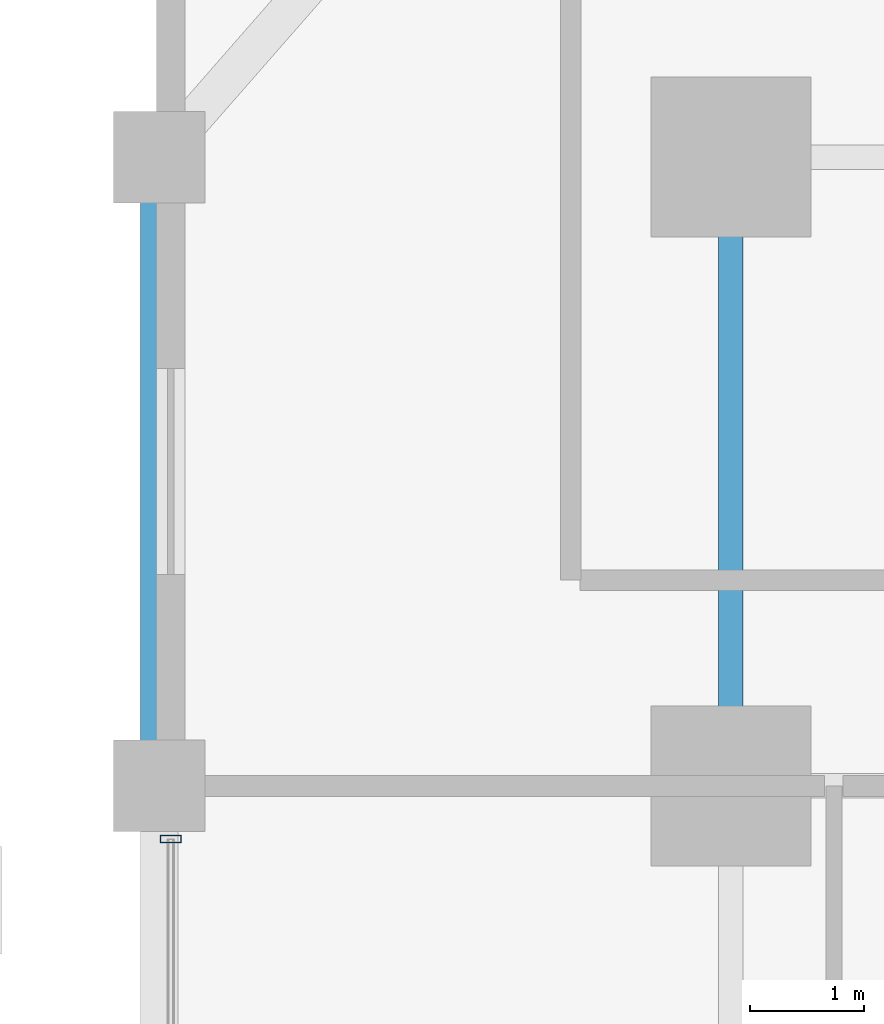
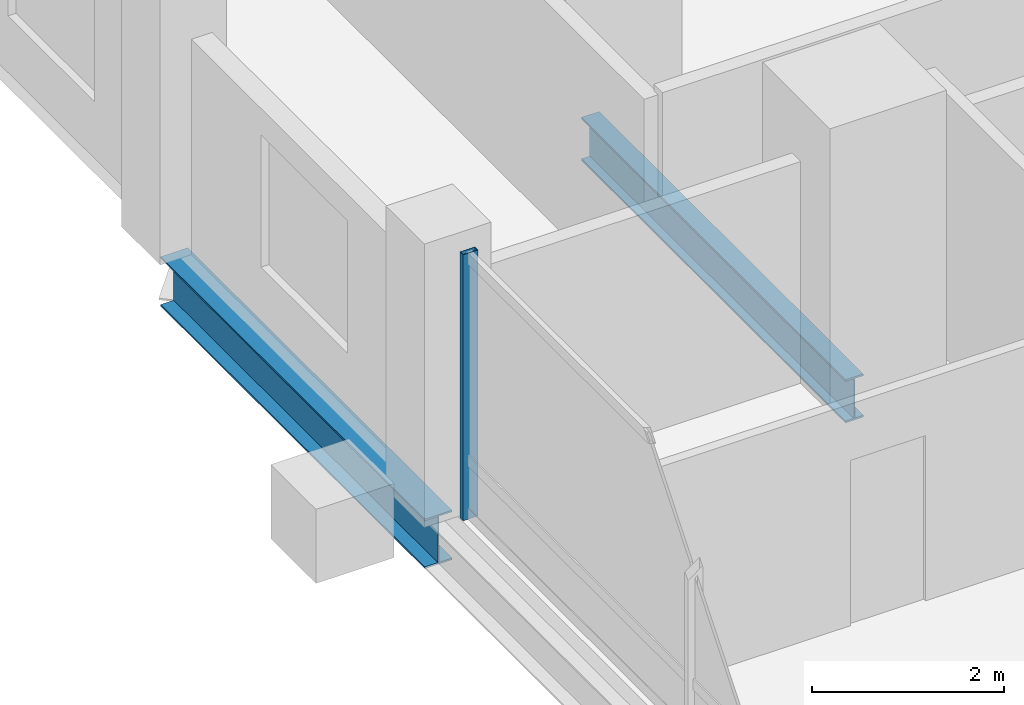
# One storey, part 11 of 24: 2 beams, 1 member, 1 element without a shape of its own.
"""IFC4 building model written with IfcOpenShell, lengths in metres."""

from ifc_helpers import new_model, si_unit, direction, frame, origin, origin_2d, place, context, subcontext, project, spatial, hollow_rectangle, i_section, extrude, material, layer, layer_set, material_profile, profile_set, type_object, element, aggregate, save


model = new_model("IFC4")

# Units and contexts
model_context = context("Model", 3, precision=1e-05, world=origin(), true_north=direction((0.0, 1.0)))
body_context = subcontext(model_context, "Body", "Model", "MODEL_VIEW")
ifc_project = project(units=[si_unit("LENGTHUNIT", "METRE"), si_unit("AREAUNIT", "SQUARE_METRE"), si_unit("VOLUMEUNIT", "CUBIC_METRE"), si_unit("PLANEANGLEUNIT", "RADIAN"), si_unit("MASSUNIT", "GRAM", prefix="KILO")], contexts=[model_context])

# Site, building, storey
site_placement = place(None, origin())
site = spatial("IfcSite", under=ifc_project, at=site_placement, CompositionType="ELEMENT")
building_placement = place(site_placement, origin())
building = spatial("IfcBuilding", under=site, at=building_placement, Name="Barlavira Tower and Art Museum", CompositionType="ELEMENT")
storey_placement = place(building_placement, frame((0.0, 0.0, 32.39990234375)))
storey = spatial("IfcBuildingStorey", under=building, at=storey_placement, Name="L06", CompositionType="ELEMENT", Elevation=32.39990234375)

# Curtain wall, member
ifc_material_1 = material(Name="Low-iron coastal laminated glass", Category="glass")
ifc_layer = layer(ifc_material_1, 0.179931640625, Name="Low-iron coastal laminated glass")
ifc_layer_set = layer_set([ifc_layer], Name="Low-iron coastal laminated glass")
curtain_wall_type = type_object("IfcCurtainWallType", Name="Pale-Metal Unitised Curtain Wall Zone 1", PredefinedType="NOTDEFINED", material=ifc_layer_set)
curtain_wall_placement = place(storey_placement, origin())
curtain_wall = element("IfcCurtainWall", 1, at=curtain_wall_placement, inside=storey, type_object=curtain_wall_type, Name="L06 Curtain Wall CW1-L06-W-B3", PredefinedType="NOTDEFINED")
ifc_material_2 = material(Name="Pale anodised aluminium", Category="aluminium")
ifc_material_profile_1 = material_profile(ifc_material_2, hollow_rectangle(XDim=0.06494140625, YDim=0.179931640625, WallThickness=0.00390625, at=origin_2d()), Name="ALU-MULL 65x180x4")
ifc_profile_set_1 = profile_set([ifc_material_profile_1], Name="Pale anodised aluminium")
member_type = type_object("IfcMemberType", Name="Curtain Wall Pale-Metal Mullion 65x180", PredefinedType="MULLION", material=ifc_profile_set_1)
member_placement = place(storey_placement, frame((-21.89990234375, 7.034912109375, 0.0), z_axis=(0.0, 0.0, 1.0), x_axis=(0.0, -1.0, 0.0)))
member = element("IfcMember", 2, at=member_placement, type_object=member_type, Name="CW1-L06-W-B3 Mullion 0", PredefinedType="MULLION", context=body_context, shape_type="SweptSolid", body=[
    extrude(hollow_rectangle(XDim=0.06494140625, YDim=0.179931640625, WallThickness=0.00390625, at=origin_2d()), origin(), (0.0, 0.0, 1.0), 3.380126953125),
])
aggregate(curtain_wall, [member])

# Beams
ifc_material_3 = material(Name="Steel S355", Category="steel")
ifc_material_profile_2 = material_profile(ifc_material_3, i_section(OverallWidth=0.327880859375, OverallDepth=0.62890625, WebThickness=0.013916015625, FlangeThickness=0.021484375, at=origin_2d()), Name="W610x174.0")
ifc_profile_set_2 = profile_set([ifc_material_profile_2], Name="Steel S355")
beam_type_1 = type_object("IfcBeamType", Name="Perimeter Spandrel Edge Beam W610x174 Steel S355", PredefinedType="SPANDREL", material=ifc_profile_set_2)
beam_1_placement = place(storey_placement, frame((-22.0, 7.5, -0.534423828125), z_axis=(0.0, 1.0, 0.0), x_axis=(-1.0, 0.0, 0.0)))
element("IfcBeam", 3, at=beam_1_placement, inside=storey, type_object=beam_type_1, Name="L06 Spandrel 13", PredefinedType="SPANDREL", context=body_context, shape_type="SweptSolid", body=[
    extrude(i_section(OverallWidth=0.327880859375, OverallDepth=0.62890625, WebThickness=0.013916015625, FlangeThickness=0.021484375, at=origin_2d()), origin(), (0.0, 0.0, 1.0), 5.5),
])
ifc_material_profile_3 = material_profile(ifc_material_3, i_section(OverallWidth=0.214111328125, OverallDepth=0.549072265625, WebThickness=0.0146484375, FlangeThickness=0.023681640625, at=origin_2d()), Name="W530x138.0")
ifc_profile_set_3 = profile_set([ifc_material_profile_3], Name="Steel S355")
beam_type_2 = type_object("IfcBeamType", Name="Zone 1 Primary Floor Girder W530x138 Steel S355", PredefinedType="BEAM", material=ifc_profile_set_3)
beam_2_placement = place(storey_placement, frame((-17.0, 7.5, -0.494384765625), z_axis=(0.0, 1.0, 0.0), x_axis=(-1.0, 0.0, 0.0)))
element("IfcBeam", 4, at=beam_2_placement, inside=storey, type_object=beam_type_2, Name="L06 Girder M-W3", PredefinedType="BEAM", context=body_context, shape_type="SweptSolid", body=[
    extrude(i_section(OverallWidth=0.214111328125, OverallDepth=0.549072265625, WebThickness=0.0146484375, FlangeThickness=0.023681640625, at=origin_2d()), origin(), (0.0, 0.0, 1.0), 5.5),
])

save(model, "model.ifc")
